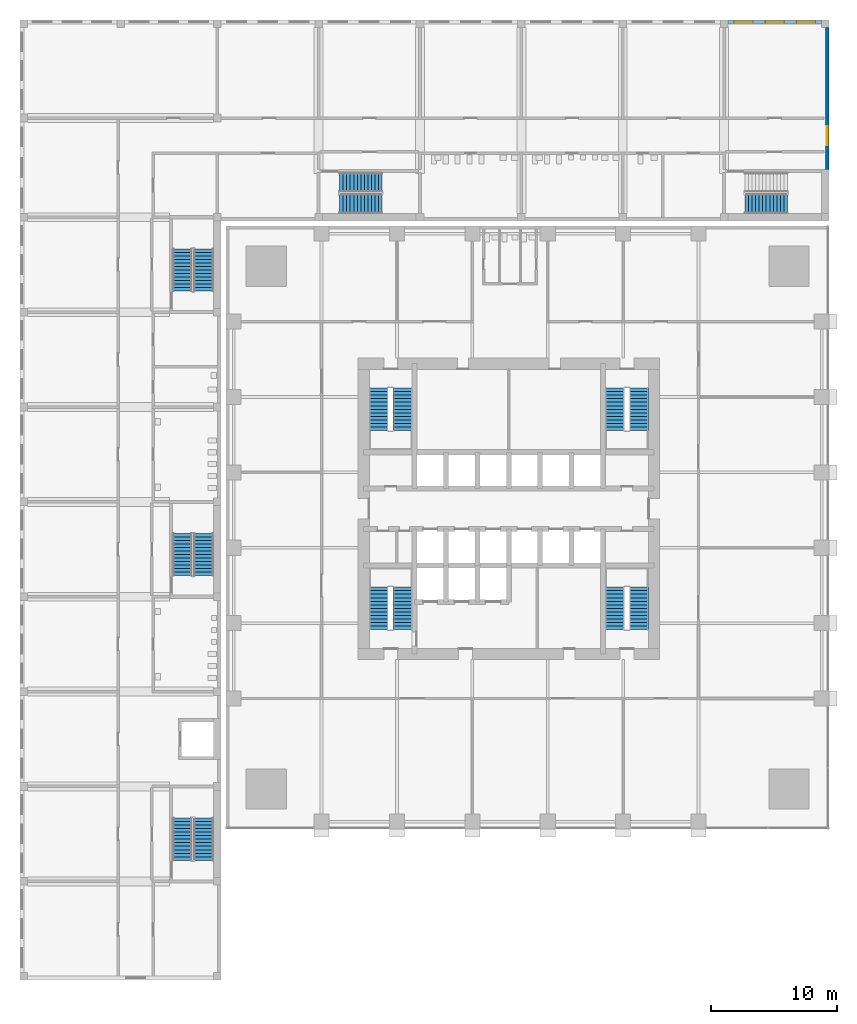
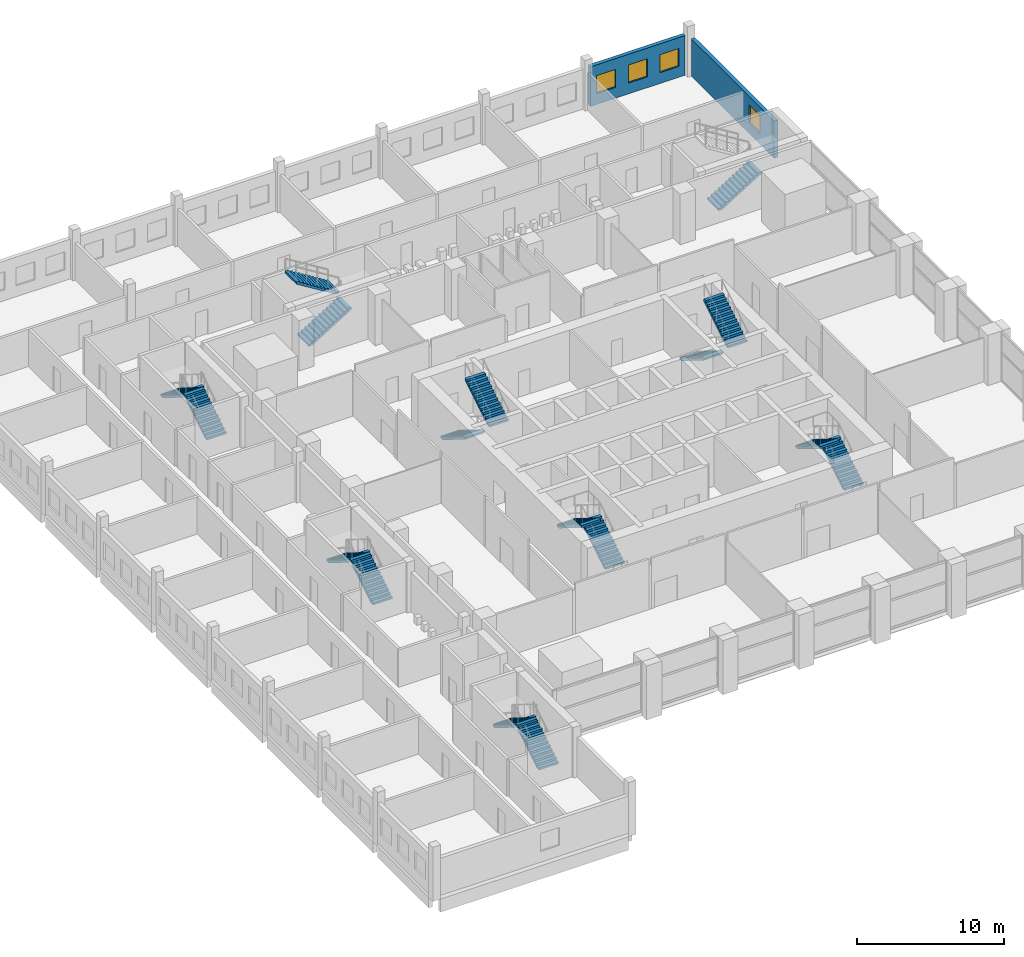
# One storey, part 18 of 25: 17 stair flights, 4 windows, 2 walls, 4 openings, 9 elements without a shape of their own.
"""IFC4 building model written with IfcOpenShell, lengths in metres."""

from ifc_helpers import new_model, si_unit, direction, frame, frame_2d, origin, place, context, subcontext, project, spatial, polyline, rectangle, outline, extrude, material, layer, layer_set, type_object, element, fill, aggregate, save


model = new_model("IFC4")

# Units and contexts
model_context = context("Model", 3, precision=1e-05, world=origin(), true_north=direction((0.0, 1.0)))
body_context = subcontext(model_context, "Body", "Model", "MODEL_VIEW")
ifc_project = project(units=[si_unit("LENGTHUNIT", "METRE"), si_unit("AREAUNIT", "SQUARE_METRE"), si_unit("VOLUMEUNIT", "CUBIC_METRE"), si_unit("PLANEANGLEUNIT", "RADIAN"), si_unit("MASSUNIT", "GRAM", prefix="KILO")], contexts=[model_context])

# Site, building, storey
site_placement = place(None, origin())
site = spatial("IfcSite", under=ifc_project, at=site_placement, CompositionType="ELEMENT")
building_placement = place(site_placement, origin())
building = spatial("IfcBuilding", under=site, at=building_placement, Name="Amberfall Residences", CompositionType="ELEMENT")
storey_placement = place(building_placement, frame((0.0, 0.0, 10.0)))
storey = spatial("IfcBuildingStorey", under=building, at=storey_placement, Name="L02", CompositionType="ELEMENT", Elevation=10.0)

# Wall, openings, windows
ifc_material_1 = material(Name="Aerated block wall")
ifc_layer = layer(ifc_material_1, 0.300048828125)
ifc_layer_set = layer_set([ifc_layer], Name="School external wall 300")
wall_type = type_object("IfcWallType", Name="School external wall 300", PredefinedType="SOLIDWALL", material=ifc_layer_set)
wall_1_placement = place(storey_placement, frame((91.93310546875, 84.25, 0.0), z_axis=(0.0, 0.0, 1.0), x_axis=(1.0, 0.0, 0.0)))
wall_1 = element("IfcWall", 1, at=wall_1_placement, inside=storey, type_object=wall_type, Name="School external wall L02 EN7", PredefinedType="SOLIDWALL", context=body_context, shape_type="SweptSolid", body=[
    extrude(rectangle(XDim=7.466796875, YDim=0.300048828125, at=frame_2d((3.7333984375, 0.0))), origin(), (0.0, 0.0, 1.0), 3.300048828125),
])
opening_1_placement = place(wall_1_placement, frame((0.494384765625, 0.0, 0.89990234375)))
opening_1 = element("IfcOpeningElement", 2, at=opening_1_placement, cuts=wall_1, Name="Opening SWN1", PredefinedType="OPENING", context=body_context, shape_type="SweptSolid", body=[
    extrude(rectangle(XDim=1.5, YDim=1.5, at=frame_2d((0.75, 0.75))), frame((0.0, 0.159912109375, 0.0), z_axis=(0.0, -1.0, 0.0), x_axis=(1.0, 0.0, 0.0)), (0.0, 0.0, 1.0), 0.320068359375),
])
opening_2_placement = place(wall_1_placement, frame((2.9833984375, 0.0, 0.89990234375)))
opening_2 = element("IfcOpeningElement", 3, at=opening_2_placement, cuts=wall_1, Name="Opening SWN1", PredefinedType="OPENING", context=body_context, shape_type="SweptSolid", body=[
    extrude(rectangle(XDim=1.5, YDim=1.5, at=frame_2d((0.75, 0.75))), frame((0.0, 0.159912109375, 0.0), z_axis=(0.0, -1.0, 0.0), x_axis=(1.0, 0.0, 0.0)), (0.0, 0.0, 1.0), 0.320068359375),
])
opening_3_placement = place(wall_1_placement, frame((5.472412109375, 0.0, 0.89990234375)))
opening_3 = element("IfcOpeningElement", 4, at=opening_3_placement, cuts=wall_1, Name="Opening SWN1", PredefinedType="OPENING", context=body_context, shape_type="SweptSolid", body=[
    extrude(rectangle(XDim=1.5, YDim=1.5, at=frame_2d((0.75, 0.75))), frame((0.0, 0.159912109375, 0.0), z_axis=(0.0, -1.0, 0.0), x_axis=(1.0, 0.0, 0.0)), (0.0, 0.0, 1.0), 0.320068359375),
])
ifc_material_2 = material(Name="Aluminium window", Category="aluminium")
window_type = type_object("IfcWindowType", Name="School window 1500 x 1500", PartitioningType="DOUBLE_PANEL_HORIZONTAL", PredefinedType="WINDOW", material=ifc_material_2)
window_1_placement = place(opening_1_placement, origin())
window_1 = element("IfcWindow", 5, at=window_1_placement, inside=storey, type_object=window_type, Name="School window L02 EN7-1", OverallHeight=1.5, OverallWidth=1.5, PartitioningType="DOUBLE_PANEL_HORIZONTAL", PredefinedType="WINDOW", context=body_context, shape_type="SweptSolid", body=[
    extrude(rectangle(XDim=1.5, YDim=1.5, at=frame_2d((0.75, 0.75))), frame((0.0, 0.030029296875, 0.0), z_axis=(0.0, -1.0, 0.0), x_axis=(1.0, 0.0, 0.0)), (0.0, 0.0, 1.0), 0.06005859375),
])
fill(opening_1, window_1)
window_2_placement = place(opening_2_placement, origin())
window_2 = element("IfcWindow", 6, at=window_2_placement, inside=storey, type_object=window_type, Name="School window L02 EN7-2", OverallHeight=1.5, OverallWidth=1.5, PartitioningType="DOUBLE_PANEL_HORIZONTAL", PredefinedType="WINDOW", context=body_context, shape_type="SweptSolid", body=[
    extrude(rectangle(XDim=1.5, YDim=1.5, at=frame_2d((0.75, 0.75))), frame((0.0, 0.030029296875, 0.0), z_axis=(0.0, -1.0, 0.0), x_axis=(1.0, 0.0, 0.0)), (0.0, 0.0, 1.0), 0.06005859375),
])
fill(opening_2, window_2)
window_3_placement = place(opening_3_placement, origin())
window_3 = element("IfcWindow", 7, at=window_3_placement, inside=storey, type_object=window_type, Name="School window L02 EN7-3", OverallHeight=1.5, OverallWidth=1.5, PartitioningType="DOUBLE_PANEL_HORIZONTAL", PredefinedType="WINDOW", context=body_context, shape_type="SweptSolid", body=[
    extrude(rectangle(XDim=1.5, YDim=1.5, at=frame_2d((0.75, 0.75))), frame((0.0, 0.030029296875, 0.0), z_axis=(0.0, -1.0, 0.0), x_axis=(1.0, 0.0, 0.0)), (0.0, 0.0, 1.0), 0.06005859375),
])
fill(opening_3, window_3)

# Wall, opening, window
wall_2_placement = place(storey_placement, frame((99.85009765625, 72.5, 0.0), z_axis=(0.0, 0.0, 1.0), x_axis=(0.0, 1.0, 0.0)))
wall_2 = element("IfcWall", 8, at=wall_2_placement, inside=storey, type_object=wall_type, Name="School external wall L02 EE", PredefinedType="SOLIDWALL", context=body_context, shape_type="SweptSolid", body=[
    extrude(rectangle(XDim=11.300048828125, YDim=0.300048828125, at=frame_2d((5.64990234375, 0.0))), origin(), (0.0, 0.0, 1.0), 3.10009765625),
])
opening_4_placement = place(wall_2_placement, frame((1.949951171875, 0.0, 0.89990234375)))
opening_4 = element("IfcOpeningElement", 9, at=opening_4_placement, cuts=wall_2, Name="Opening SWN1", PredefinedType="OPENING", context=body_context, shape_type="SweptSolid", body=[
    extrude(rectangle(XDim=1.5, YDim=1.5, at=frame_2d((0.75, 0.75))), frame((0.0, 0.159912109375, 0.0), z_axis=(0.0, -1.0, 0.0), x_axis=(1.0, 0.0, 0.0)), (0.0, 0.0, 1.0), 0.320068359375),
])
window_4_placement = place(opening_4_placement, origin())
window_4 = element("IfcWindow", 10, at=window_4_placement, inside=storey, type_object=window_type, Name="School window L02 EE-1", OverallHeight=1.5, OverallWidth=1.5, PartitioningType="DOUBLE_PANEL_HORIZONTAL", PredefinedType="WINDOW", context=body_context, shape_type="SweptSolid", body=[
    extrude(rectangle(XDim=1.5, YDim=1.5, at=frame_2d((0.75, 0.75))), frame((0.0, 0.030029296875, 0.0), z_axis=(0.0, -1.0, 0.0), x_axis=(1.0, 0.0, 0.0)), (0.0, 0.0, 1.0), 0.06005859375),
])
fill(opening_4, window_4)

# Stair, stair flights
ifc_material_3 = material(Name="Concrete C40", Category="concrete")
stair_type_1 = type_object("IfcStairType", Name="School stair", PredefinedType="HALF_TURN_STAIR", material=ifc_material_3)
stair_1_placement = place(storey_placement, origin())
stair_1 = element("IfcStair", 11, at=stair_1_placement, inside=storey, type_object=stair_type_1, Name="L02 Stair SS1", PredefinedType="HALF_TURN_STAIR")
stair_flight_type_1 = type_object("IfcStairFlightType", Name="School stair flight", PredefinedType="STRAIGHT", material=ifc_material_3)
stair_flight_1_placement = place(storey_placement, frame((50.22509765625, 17.52490234375, 0.0), z_axis=(0.0, 0.0, 1.0), x_axis=(0.0, 1.0, 0.0)))
stair_flight_1 = element("IfcStairFlight", 12, at=stair_flight_1_placement, type_object=stair_flight_type_1, Name="SS1 flight 1", NumberOfRisers=13, NumberOfTreads=12, PredefinedType="STRAIGHT", RiserHeight=0.173076923, TreadLength=0.28, context=body_context, shape_type="SweptSolid", body=[
    extrude(outline(polyline([(0.0, 0.0), (0.0, 0.173095703125), (0.280029296875, 0.173095703125), (0.280029296875, 0.34619140625), (0.56005859375, 0.34619140625), (0.56005859375, 0.519287109375), (0.840087890625, 0.519287109375), (0.840087890625, 0.6923828125), (1.1201171875, 0.6923828125), (1.1201171875, 0.865478515625), (1.39990234375, 0.865478515625), (1.39990234375, 1.03857421875), (1.679931640625, 1.03857421875), (1.679931640625, 1.21142578125), (1.9599609375, 1.21142578125), (1.9599609375, 1.384521484375), (2.239990234375, 1.384521484375), (2.239990234375, 1.5576171875), (2.52001953125, 1.5576171875), (2.52001953125, 1.730712890625), (2.800048828125, 1.730712890625), (2.800048828125, 1.90380859375), (3.080078125, 1.90380859375), (3.080078125, 2.076904296875), (3.360107421875, 2.076904296875), (3.360107421875, 2.25), (3.360107421875, 1.900634765625), (0.28515625, 0.0), (0.0, 0.0)])), frame((0.0, 0.77490234375, 0.0), z_axis=(0.0, -1.0, 0.0), x_axis=(1.0, 0.0, 0.0)), (0.0, 0.0, 1.0), 1.550048828125),
])
stair_flight_2_placement = place(storey_placement, frame((48.52490234375, 20.885009765625, 2.25), z_axis=(0.0, 0.0, 1.0), x_axis=(0.0, -1.0, 0.0)))
stair_flight_2 = element("IfcStairFlight", 13, at=stair_flight_2_placement, type_object=stair_flight_type_1, Name="SS1 flight 2", NumberOfRisers=13, NumberOfTreads=12, PredefinedType="STRAIGHT", RiserHeight=0.173076923, TreadLength=0.28, context=body_context, shape_type="SweptSolid", body=[
    extrude(outline(polyline([(0.0, 0.0), (0.0, 0.173095703125), (0.280029296875, 0.173095703125), (0.280029296875, 0.34619140625), (0.56005859375, 0.34619140625), (0.56005859375, 0.519287109375), (0.840087890625, 0.519287109375), (0.840087890625, 0.6923828125), (1.1201171875, 0.6923828125), (1.1201171875, 0.865478515625), (1.39990234375, 0.865478515625), (1.39990234375, 1.03857421875), (1.679931640625, 1.03857421875), (1.679931640625, 1.21142578125), (1.9599609375, 1.21142578125), (1.9599609375, 1.384521484375), (2.239990234375, 1.384521484375), (2.239990234375, 1.5576171875), (2.52001953125, 1.5576171875), (2.52001953125, 1.730712890625), (2.800048828125, 1.730712890625), (2.800048828125, 1.90380859375), (3.080078125, 1.90380859375), (3.080078125, 2.076904296875), (3.360107421875, 2.076904296875), (3.360107421875, 2.25), (3.360107421875, 1.900634765625), (0.28515625, 0.0), (0.0, 0.0)])), frame((0.0, 0.77490234375, 0.0), z_axis=(0.0, -1.0, 0.0), x_axis=(1.0, 0.0, 0.0)), (0.0, 0.0, 1.0), 1.550048828125),
])
aggregate(stair_1, [stair_flight_1, stair_flight_2])

stair_2_placement = place(storey_placement, origin())
stair_2 = element("IfcStair", 14, at=stair_2_placement, inside=storey, type_object=stair_type_1, Name="L02 Stair SS2", PredefinedType="HALF_TURN_STAIR")
stair_flight_3_placement = place(storey_placement, frame((50.22509765625, 40.175048828125, 0.0), z_axis=(0.0, 0.0, 1.0), x_axis=(0.0, 1.0, 0.0)))
stair_flight_3 = element("IfcStairFlight", 15, at=stair_flight_3_placement, type_object=stair_flight_type_1, Name="SS2 flight 1", NumberOfRisers=13, NumberOfTreads=12, PredefinedType="STRAIGHT", RiserHeight=0.173076923, TreadLength=0.28, context=body_context, shape_type="SweptSolid", body=[
    extrude(outline(polyline([(0.0, 0.0), (0.0, 0.173095703125), (0.280029296875, 0.173095703125), (0.280029296875, 0.34619140625), (0.56005859375, 0.34619140625), (0.56005859375, 0.519287109375), (0.840087890625, 0.519287109375), (0.840087890625, 0.6923828125), (1.1201171875, 0.6923828125), (1.1201171875, 0.865478515625), (1.39990234375, 0.865478515625), (1.39990234375, 1.03857421875), (1.679931640625, 1.03857421875), (1.679931640625, 1.21142578125), (1.9599609375, 1.21142578125), (1.9599609375, 1.384521484375), (2.239990234375, 1.384521484375), (2.239990234375, 1.5576171875), (2.52001953125, 1.5576171875), (2.52001953125, 1.730712890625), (2.800048828125, 1.730712890625), (2.800048828125, 1.90380859375), (3.080078125, 1.90380859375), (3.080078125, 2.076904296875), (3.360107421875, 2.076904296875), (3.360107421875, 2.25), (3.360107421875, 1.900634765625), (0.28515625, 0.0), (0.0, 0.0)])), frame((0.0, 0.77490234375, 0.0), z_axis=(0.0, -1.0, 0.0), x_axis=(1.0, 0.0, 0.0)), (0.0, 0.0, 1.0), 1.550048828125),
])
stair_flight_4_placement = place(storey_placement, frame((48.52490234375, 43.534912109375, 2.25), z_axis=(0.0, 0.0, 1.0), x_axis=(0.0, -1.0, 0.0)))
stair_flight_4 = element("IfcStairFlight", 16, at=stair_flight_4_placement, type_object=stair_flight_type_1, Name="SS2 flight 2", NumberOfRisers=13, NumberOfTreads=12, PredefinedType="STRAIGHT", RiserHeight=0.173076923, TreadLength=0.28, context=body_context, shape_type="SweptSolid", body=[
    extrude(outline(polyline([(0.0, 0.0), (0.0, 0.173095703125), (0.280029296875, 0.173095703125), (0.280029296875, 0.34619140625), (0.56005859375, 0.34619140625), (0.56005859375, 0.519287109375), (0.840087890625, 0.519287109375), (0.840087890625, 0.6923828125), (1.1201171875, 0.6923828125), (1.1201171875, 0.865478515625), (1.39990234375, 0.865478515625), (1.39990234375, 1.03857421875), (1.679931640625, 1.03857421875), (1.679931640625, 1.21142578125), (1.9599609375, 1.21142578125), (1.9599609375, 1.384521484375), (2.239990234375, 1.384521484375), (2.239990234375, 1.5576171875), (2.52001953125, 1.5576171875), (2.52001953125, 1.730712890625), (2.800048828125, 1.730712890625), (2.800048828125, 1.90380859375), (3.080078125, 1.90380859375), (3.080078125, 2.076904296875), (3.360107421875, 2.076904296875), (3.360107421875, 2.25), (3.360107421875, 1.900634765625), (0.28515625, 0.0), (0.0, 0.0)])), frame((0.0, 0.77490234375, 0.0), z_axis=(0.0, -1.0, 0.0), x_axis=(1.0, 0.0, 0.0)), (0.0, 0.0, 1.0), 1.550048828125),
])
aggregate(stair_2, [stair_flight_3, stair_flight_4])

stair_3_placement = place(storey_placement, origin())
stair_3 = element("IfcStair", 17, at=stair_3_placement, inside=storey, type_object=stair_type_1, Name="L02 Stair SS3", PredefinedType="HALF_TURN_STAIR")
stair_flight_5_placement = place(storey_placement, frame((50.22509765625, 62.824951171875, 0.0), z_axis=(0.0, 0.0, 1.0), x_axis=(0.0, 1.0, 0.0)))
stair_flight_5 = element("IfcStairFlight", 18, at=stair_flight_5_placement, type_object=stair_flight_type_1, Name="SS3 flight 1", NumberOfRisers=13, NumberOfTreads=12, PredefinedType="STRAIGHT", RiserHeight=0.173076923, TreadLength=0.28, context=body_context, shape_type="SweptSolid", body=[
    extrude(outline(polyline([(0.0, 0.0), (0.0, 0.173095703125), (0.280029296875, 0.173095703125), (0.280029296875, 0.34619140625), (0.56005859375, 0.34619140625), (0.56005859375, 0.519287109375), (0.840087890625, 0.519287109375), (0.840087890625, 0.6923828125), (1.1201171875, 0.6923828125), (1.1201171875, 0.865478515625), (1.39990234375, 0.865478515625), (1.39990234375, 1.03857421875), (1.679931640625, 1.03857421875), (1.679931640625, 1.21142578125), (1.9599609375, 1.21142578125), (1.9599609375, 1.384521484375), (2.239990234375, 1.384521484375), (2.239990234375, 1.5576171875), (2.52001953125, 1.5576171875), (2.52001953125, 1.730712890625), (2.800048828125, 1.730712890625), (2.800048828125, 1.90380859375), (3.080078125, 1.90380859375), (3.080078125, 2.076904296875), (3.360107421875, 2.076904296875), (3.360107421875, 2.25), (3.360107421875, 1.900634765625), (0.28515625, 0.0), (0.0, 0.0)])), frame((0.0, 0.77490234375, 0.0), z_axis=(0.0, -1.0, 0.0), x_axis=(1.0, 0.0, 0.0)), (0.0, 0.0, 1.0), 1.550048828125),
])
stair_flight_6_placement = place(storey_placement, frame((48.52490234375, 66.18505859375, 2.25), z_axis=(0.0, 0.0, 1.0), x_axis=(0.0, -1.0, 0.0)))
stair_flight_6 = element("IfcStairFlight", 19, at=stair_flight_6_placement, type_object=stair_flight_type_1, Name="SS3 flight 2", NumberOfRisers=13, NumberOfTreads=12, PredefinedType="STRAIGHT", RiserHeight=0.173076923, TreadLength=0.28, context=body_context, shape_type="SweptSolid", body=[
    extrude(outline(polyline([(0.0, 0.0), (0.0, 0.173095703125), (0.280029296875, 0.173095703125), (0.280029296875, 0.34619140625), (0.56005859375, 0.34619140625), (0.56005859375, 0.519287109375), (0.840087890625, 0.519287109375), (0.840087890625, 0.6923828125), (1.1201171875, 0.6923828125), (1.1201171875, 0.865478515625), (1.39990234375, 0.865478515625), (1.39990234375, 1.03857421875), (1.679931640625, 1.03857421875), (1.679931640625, 1.21142578125), (1.9599609375, 1.21142578125), (1.9599609375, 1.384521484375), (2.239990234375, 1.384521484375), (2.239990234375, 1.5576171875), (2.52001953125, 1.5576171875), (2.52001953125, 1.730712890625), (2.800048828125, 1.730712890625), (2.800048828125, 1.90380859375), (3.080078125, 1.90380859375), (3.080078125, 2.076904296875), (3.360107421875, 2.076904296875), (3.360107421875, 2.25), (3.360107421875, 1.900634765625), (0.28515625, 0.0), (0.0, 0.0)])), frame((0.0, 0.77490234375, 0.0), z_axis=(0.0, -1.0, 0.0), x_axis=(1.0, 0.0, 0.0)), (0.0, 0.0, 1.0), 1.550048828125),
])
aggregate(stair_3, [stair_flight_5, stair_flight_6])

stair_4_placement = place(storey_placement, origin())
stair_4 = element("IfcStair", 20, at=stair_4_placement, inside=storey, type_object=stair_type_1, Name="L02 Stair SS4", PredefinedType="HALF_TURN_STAIR")
stair_flight_7_placement = place(storey_placement, frame((61.0419921875, 69.77490234375, 0.0), z_axis=(0.0, 0.0, 1.0), x_axis=(1.0, 0.0, 0.0)))
stair_flight_7 = element("IfcStairFlight", 21, at=stair_flight_7_placement, type_object=stair_flight_type_1, Name="SS4 flight 1", NumberOfRisers=13, NumberOfTreads=12, PredefinedType="STRAIGHT", RiserHeight=0.173076923, TreadLength=0.28, context=body_context, shape_type="SweptSolid", body=[
    extrude(outline(polyline([(0.0, 0.0), (0.0, 0.173095703125), (0.280029296875, 0.173095703125), (0.280029296875, 0.34619140625), (0.56005859375, 0.34619140625), (0.56005859375, 0.519287109375), (0.840087890625, 0.519287109375), (0.840087890625, 0.6923828125), (1.1201171875, 0.6923828125), (1.1201171875, 0.865478515625), (1.39990234375, 0.865478515625), (1.39990234375, 1.03857421875), (1.679931640625, 1.03857421875), (1.679931640625, 1.21142578125), (1.9599609375, 1.21142578125), (1.9599609375, 1.384521484375), (2.239990234375, 1.384521484375), (2.239990234375, 1.5576171875), (2.52001953125, 1.5576171875), (2.52001953125, 1.730712890625), (2.800048828125, 1.730712890625), (2.800048828125, 1.90380859375), (3.080078125, 1.90380859375), (3.080078125, 2.076904296875), (3.360107421875, 2.076904296875), (3.360107421875, 2.25), (3.360107421875, 1.900634765625), (0.28515625, 0.0), (0.0, 0.0)])), frame((0.0, 0.77490234375, 0.0), z_axis=(0.0, -1.0, 0.0), x_axis=(1.0, 0.0, 0.0)), (0.0, 0.0, 1.0), 1.550048828125),
])
stair_flight_8_placement = place(storey_placement, frame((64.402099609375, 71.47509765625, 2.25), z_axis=(0.0, 0.0, 1.0), x_axis=(-1.0, 0.0, 0.0)))
stair_flight_8 = element("IfcStairFlight", 22, at=stair_flight_8_placement, type_object=stair_flight_type_1, Name="SS4 flight 2", NumberOfRisers=13, NumberOfTreads=12, PredefinedType="STRAIGHT", RiserHeight=0.173076923, TreadLength=0.28, context=body_context, shape_type="SweptSolid", body=[
    extrude(outline(polyline([(0.0, 0.0), (0.0, 0.173095703125), (0.280029296875, 0.173095703125), (0.280029296875, 0.34619140625), (0.56005859375, 0.34619140625), (0.56005859375, 0.519287109375), (0.840087890625, 0.519287109375), (0.840087890625, 0.6923828125), (1.1201171875, 0.6923828125), (1.1201171875, 0.865478515625), (1.39990234375, 0.865478515625), (1.39990234375, 1.03857421875), (1.679931640625, 1.03857421875), (1.679931640625, 1.21142578125), (1.9599609375, 1.21142578125), (1.9599609375, 1.384521484375), (2.239990234375, 1.384521484375), (2.239990234375, 1.5576171875), (2.52001953125, 1.5576171875), (2.52001953125, 1.730712890625), (2.800048828125, 1.730712890625), (2.800048828125, 1.90380859375), (3.080078125, 1.90380859375), (3.080078125, 2.076904296875), (3.360107421875, 2.076904296875), (3.360107421875, 2.25), (3.360107421875, 1.900634765625), (0.28515625, 0.0), (0.0, 0.0)])), frame((0.0, 0.77490234375, 0.0), z_axis=(0.0, -1.0, 0.0), x_axis=(1.0, 0.0, 0.0)), (0.0, 0.0, 1.0), 1.550048828125),
])
aggregate(stair_4, [stair_flight_7, stair_flight_8])

# Stair, stair flight
stair_5_placement = place(storey_placement, origin())
stair_5 = element("IfcStair", 23, at=stair_5_placement, inside=storey, type_object=stair_type_1, Name="L02 Stair SS5", PredefinedType="HALF_TURN_STAIR")
stair_flight_9_placement = place(storey_placement, frame((93.30810546875, 69.77490234375, 0.0), z_axis=(0.0, 0.0, 1.0), x_axis=(1.0, 0.0, 0.0)))
stair_flight_9 = element("IfcStairFlight", 24, at=stair_flight_9_placement, type_object=stair_flight_type_1, Name="SS5 flight 1", NumberOfRisers=13, NumberOfTreads=12, PredefinedType="STRAIGHT", RiserHeight=0.173076923, TreadLength=0.28, context=body_context, shape_type="SweptSolid", body=[
    extrude(outline(polyline([(0.0, 0.0), (0.0, 0.173095703125), (0.280029296875, 0.173095703125), (0.280029296875, 0.34619140625), (0.56005859375, 0.34619140625), (0.56005859375, 0.519287109375), (0.840087890625, 0.519287109375), (0.840087890625, 0.6923828125), (1.1201171875, 0.6923828125), (1.1201171875, 0.865478515625), (1.39990234375, 0.865478515625), (1.39990234375, 1.03857421875), (1.679931640625, 1.03857421875), (1.679931640625, 1.21142578125), (1.9599609375, 1.21142578125), (1.9599609375, 1.384521484375), (2.239990234375, 1.384521484375), (2.239990234375, 1.5576171875), (2.52001953125, 1.5576171875), (2.52001953125, 1.730712890625), (2.800048828125, 1.730712890625), (2.800048828125, 1.90380859375), (3.080078125, 1.90380859375), (3.080078125, 2.076904296875), (3.360107421875, 2.076904296875), (3.360107421875, 2.25), (3.360107421875, 1.900634765625), (0.28515625, 0.0), (0.0, 0.0)])), frame((0.0, 0.77490234375, 0.0), z_axis=(0.0, -1.0, 0.0), x_axis=(1.0, 0.0, 0.0)), (0.0, 0.0, 1.0), 1.550048828125),
])
aggregate(stair_5, [stair_flight_9])

# Stair, stair flights
stair_type_2 = type_object("IfcStairType", Name="Exit stair 26 risers 173.1 mm", PredefinedType="HALF_TURN_STAIR", material=ifc_material_3)
stair_6_placement = place(storey_placement, origin())
stair_6 = element("IfcStair", 25, at=stair_6_placement, inside=storey, type_object=stair_type_2, Name="L02 Exit stair 1", PredefinedType="HALF_TURN_STAIR")
stair_flight_type_2 = type_object("IfcStairFlightType", Name="Stair flight 13 risers 173.1 mm", PredefinedType="STRAIGHT", material=ifc_material_3)
stair_flight_10_placement = place(storey_placement, frame((66.050048828125, 35.89990234375, 0.0), z_axis=(0.0, 0.0, 1.0), x_axis=(0.0, 1.0, 0.0)))
stair_flight_10 = element("IfcStairFlight", 26, at=stair_flight_10_placement, type_object=stair_flight_type_2, Name="ST2 flight 1", NumberOfRisers=13, NumberOfTreads=12, PredefinedType="STRAIGHT", RiserHeight=0.173076923, TreadLength=0.28, context=body_context, shape_type="SweptSolid", body=[
    extrude(outline(polyline([(0.0, 0.0), (0.0, 0.173095703125), (0.280029296875, 0.173095703125), (0.280029296875, 0.34619140625), (0.56005859375, 0.34619140625), (0.56005859375, 0.519287109375), (0.840087890625, 0.519287109375), (0.840087890625, 0.6923828125), (1.1201171875, 0.6923828125), (1.1201171875, 0.865478515625), (1.39990234375, 0.865478515625), (1.39990234375, 1.03857421875), (1.679931640625, 1.03857421875), (1.679931640625, 1.21142578125), (1.9599609375, 1.21142578125), (1.9599609375, 1.384521484375), (2.239990234375, 1.384521484375), (2.239990234375, 1.5576171875), (2.52001953125, 1.5576171875), (2.52001953125, 1.730712890625), (2.800048828125, 1.730712890625), (2.800048828125, 1.90380859375), (3.080078125, 1.90380859375), (3.080078125, 2.076904296875), (3.360107421875, 2.076904296875), (3.360107421875, 2.25), (3.360107421875, 1.900634765625), (0.28515625, 0.0), (0.0, 0.0)])), frame((0.0, 0.75, 0.0), z_axis=(0.0, -1.0, 0.0), x_axis=(1.0, 0.0, 0.0)), (0.0, 0.0, 1.0), 1.5),
])
stair_flight_11_placement = place(storey_placement, frame((64.14990234375, 39.260009765625, 2.25), z_axis=(0.0, 0.0, 1.0), x_axis=(0.0, -1.0, 0.0)))
stair_flight_11 = element("IfcStairFlight", 27, at=stair_flight_11_placement, type_object=stair_flight_type_2, Name="ST2 flight 2", NumberOfRisers=13, NumberOfTreads=12, PredefinedType="STRAIGHT", RiserHeight=0.173076923, TreadLength=0.28, context=body_context, shape_type="SweptSolid", body=[
    extrude(outline(polyline([(0.0, 0.0), (0.0, 0.173095703125), (0.280029296875, 0.173095703125), (0.280029296875, 0.34619140625), (0.56005859375, 0.34619140625), (0.56005859375, 0.519287109375), (0.840087890625, 0.519287109375), (0.840087890625, 0.6923828125), (1.1201171875, 0.6923828125), (1.1201171875, 0.865478515625), (1.39990234375, 0.865478515625), (1.39990234375, 1.03857421875), (1.679931640625, 1.03857421875), (1.679931640625, 1.21142578125), (1.9599609375, 1.21142578125), (1.9599609375, 1.384521484375), (2.239990234375, 1.384521484375), (2.239990234375, 1.5576171875), (2.52001953125, 1.5576171875), (2.52001953125, 1.730712890625), (2.800048828125, 1.730712890625), (2.800048828125, 1.90380859375), (3.080078125, 1.90380859375), (3.080078125, 2.076904296875), (3.360107421875, 2.076904296875), (3.360107421875, 2.25), (3.360107421875, 1.900634765625), (0.28515625, 0.0), (0.0, 0.0)])), frame((0.0, 0.75, 0.0), z_axis=(0.0, -1.0, 0.0), x_axis=(1.0, 0.0, 0.0)), (0.0, 0.0, 1.0), 1.5),
])
aggregate(stair_6, [stair_flight_10, stair_flight_11])

stair_7_placement = place(storey_placement, origin())
stair_7 = element("IfcStair", 28, at=stair_7_placement, inside=storey, type_object=stair_type_2, Name="L02 Exit stair 2", PredefinedType="HALF_TURN_STAIR")
stair_flight_12_placement = place(storey_placement, frame((84.85009765625, 35.89990234375, 0.0), z_axis=(0.0, 0.0, 1.0), x_axis=(0.0, 1.0, 0.0)))
stair_flight_12 = element("IfcStairFlight", 29, at=stair_flight_12_placement, type_object=stair_flight_type_2, Name="ST2 flight 1", NumberOfRisers=13, NumberOfTreads=12, PredefinedType="STRAIGHT", RiserHeight=0.173076923, TreadLength=0.28, context=body_context, shape_type="SweptSolid", body=[
    extrude(outline(polyline([(0.0, 0.0), (0.0, 0.173095703125), (0.280029296875, 0.173095703125), (0.280029296875, 0.34619140625), (0.56005859375, 0.34619140625), (0.56005859375, 0.519287109375), (0.840087890625, 0.519287109375), (0.840087890625, 0.6923828125), (1.1201171875, 0.6923828125), (1.1201171875, 0.865478515625), (1.39990234375, 0.865478515625), (1.39990234375, 1.03857421875), (1.679931640625, 1.03857421875), (1.679931640625, 1.21142578125), (1.9599609375, 1.21142578125), (1.9599609375, 1.384521484375), (2.239990234375, 1.384521484375), (2.239990234375, 1.5576171875), (2.52001953125, 1.5576171875), (2.52001953125, 1.730712890625), (2.800048828125, 1.730712890625), (2.800048828125, 1.90380859375), (3.080078125, 1.90380859375), (3.080078125, 2.076904296875), (3.360107421875, 2.076904296875), (3.360107421875, 2.25), (3.360107421875, 1.900634765625), (0.28515625, 0.0), (0.0, 0.0)])), frame((0.0, 0.75, 0.0), z_axis=(0.0, -1.0, 0.0), x_axis=(1.0, 0.0, 0.0)), (0.0, 0.0, 1.0), 1.5),
])
stair_flight_13_placement = place(storey_placement, frame((82.949951171875, 39.260009765625, 2.25), z_axis=(0.0, 0.0, 1.0), x_axis=(0.0, -1.0, 0.0)))
stair_flight_13 = element("IfcStairFlight", 30, at=stair_flight_13_placement, type_object=stair_flight_type_2, Name="ST2 flight 2", NumberOfRisers=13, NumberOfTreads=12, PredefinedType="STRAIGHT", RiserHeight=0.173076923, TreadLength=0.28, context=body_context, shape_type="SweptSolid", body=[
    extrude(outline(polyline([(0.0, 0.0), (0.0, 0.173095703125), (0.280029296875, 0.173095703125), (0.280029296875, 0.34619140625), (0.56005859375, 0.34619140625), (0.56005859375, 0.519287109375), (0.840087890625, 0.519287109375), (0.840087890625, 0.6923828125), (1.1201171875, 0.6923828125), (1.1201171875, 0.865478515625), (1.39990234375, 0.865478515625), (1.39990234375, 1.03857421875), (1.679931640625, 1.03857421875), (1.679931640625, 1.21142578125), (1.9599609375, 1.21142578125), (1.9599609375, 1.384521484375), (2.239990234375, 1.384521484375), (2.239990234375, 1.5576171875), (2.52001953125, 1.5576171875), (2.52001953125, 1.730712890625), (2.800048828125, 1.730712890625), (2.800048828125, 1.90380859375), (3.080078125, 1.90380859375), (3.080078125, 2.076904296875), (3.360107421875, 2.076904296875), (3.360107421875, 2.25), (3.360107421875, 1.900634765625), (0.28515625, 0.0), (0.0, 0.0)])), frame((0.0, 0.75, 0.0), z_axis=(0.0, -1.0, 0.0), x_axis=(1.0, 0.0, 0.0)), (0.0, 0.0, 1.0), 1.5),
])
aggregate(stair_7, [stair_flight_12, stair_flight_13])

stair_8_placement = place(storey_placement, origin())
stair_8 = element("IfcStair", 31, at=stair_8_placement, inside=storey, type_object=stair_type_2, Name="L02 Exit stair 3", PredefinedType="HALF_TURN_STAIR")
stair_flight_14_placement = place(storey_placement, frame((82.949951171875, 55.10009765625, 0.0), z_axis=(0.0, 0.0, 1.0), x_axis=(0.0, -1.0, 0.0)))
stair_flight_14 = element("IfcStairFlight", 32, at=stair_flight_14_placement, type_object=stair_flight_type_2, Name="ST2 flight 1", NumberOfRisers=13, NumberOfTreads=12, PredefinedType="STRAIGHT", RiserHeight=0.173076923, TreadLength=0.28, context=body_context, shape_type="SweptSolid", body=[
    extrude(outline(polyline([(0.0, 0.0), (0.0, 0.173095703125), (0.280029296875, 0.173095703125), (0.280029296875, 0.34619140625), (0.56005859375, 0.34619140625), (0.56005859375, 0.519287109375), (0.840087890625, 0.519287109375), (0.840087890625, 0.6923828125), (1.1201171875, 0.6923828125), (1.1201171875, 0.865478515625), (1.39990234375, 0.865478515625), (1.39990234375, 1.03857421875), (1.679931640625, 1.03857421875), (1.679931640625, 1.21142578125), (1.9599609375, 1.21142578125), (1.9599609375, 1.384521484375), (2.239990234375, 1.384521484375), (2.239990234375, 1.5576171875), (2.52001953125, 1.5576171875), (2.52001953125, 1.730712890625), (2.800048828125, 1.730712890625), (2.800048828125, 1.90380859375), (3.080078125, 1.90380859375), (3.080078125, 2.076904296875), (3.360107421875, 2.076904296875), (3.360107421875, 2.25), (3.360107421875, 1.900634765625), (0.28515625, 0.0), (0.0, 0.0)])), frame((0.0, 0.75, 0.0), z_axis=(0.0, -1.0, 0.0), x_axis=(1.0, 0.0, 0.0)), (0.0, 0.0, 1.0), 1.5),
])
stair_flight_15_placement = place(storey_placement, frame((84.85009765625, 51.739990234375, 2.25), z_axis=(0.0, 0.0, 1.0), x_axis=(0.0, 1.0, 0.0)))
stair_flight_15 = element("IfcStairFlight", 33, at=stair_flight_15_placement, type_object=stair_flight_type_2, Name="ST2 flight 2", NumberOfRisers=13, NumberOfTreads=12, PredefinedType="STRAIGHT", RiserHeight=0.173076923, TreadLength=0.28, context=body_context, shape_type="SweptSolid", body=[
    extrude(outline(polyline([(0.0, 0.0), (0.0, 0.173095703125), (0.280029296875, 0.173095703125), (0.280029296875, 0.34619140625), (0.56005859375, 0.34619140625), (0.56005859375, 0.519287109375), (0.840087890625, 0.519287109375), (0.840087890625, 0.6923828125), (1.1201171875, 0.6923828125), (1.1201171875, 0.865478515625), (1.39990234375, 0.865478515625), (1.39990234375, 1.03857421875), (1.679931640625, 1.03857421875), (1.679931640625, 1.21142578125), (1.9599609375, 1.21142578125), (1.9599609375, 1.384521484375), (2.239990234375, 1.384521484375), (2.239990234375, 1.5576171875), (2.52001953125, 1.5576171875), (2.52001953125, 1.730712890625), (2.800048828125, 1.730712890625), (2.800048828125, 1.90380859375), (3.080078125, 1.90380859375), (3.080078125, 2.076904296875), (3.360107421875, 2.076904296875), (3.360107421875, 2.25), (3.360107421875, 1.900634765625), (0.28515625, 0.0), (0.0, 0.0)])), frame((0.0, 0.75, 0.0), z_axis=(0.0, -1.0, 0.0), x_axis=(1.0, 0.0, 0.0)), (0.0, 0.0, 1.0), 1.5),
])
aggregate(stair_8, [stair_flight_14, stair_flight_15])

stair_9_placement = place(storey_placement, origin())
stair_9 = element("IfcStair", 34, at=stair_9_placement, inside=storey, type_object=stair_type_2, Name="L02 Exit stair 4", PredefinedType="HALF_TURN_STAIR")
stair_flight_16_placement = place(storey_placement, frame((64.14990234375, 55.10009765625, 0.0), z_axis=(0.0, 0.0, 1.0), x_axis=(0.0, -1.0, 0.0)))
stair_flight_16 = element("IfcStairFlight", 35, at=stair_flight_16_placement, type_object=stair_flight_type_2, Name="ST2 flight 1", NumberOfRisers=13, NumberOfTreads=12, PredefinedType="STRAIGHT", RiserHeight=0.173076923, TreadLength=0.28, context=body_context, shape_type="SweptSolid", body=[
    extrude(outline(polyline([(0.0, 0.0), (0.0, 0.173095703125), (0.280029296875, 0.173095703125), (0.280029296875, 0.34619140625), (0.56005859375, 0.34619140625), (0.56005859375, 0.519287109375), (0.840087890625, 0.519287109375), (0.840087890625, 0.6923828125), (1.1201171875, 0.6923828125), (1.1201171875, 0.865478515625), (1.39990234375, 0.865478515625), (1.39990234375, 1.03857421875), (1.679931640625, 1.03857421875), (1.679931640625, 1.21142578125), (1.9599609375, 1.21142578125), (1.9599609375, 1.384521484375), (2.239990234375, 1.384521484375), (2.239990234375, 1.5576171875), (2.52001953125, 1.5576171875), (2.52001953125, 1.730712890625), (2.800048828125, 1.730712890625), (2.800048828125, 1.90380859375), (3.080078125, 1.90380859375), (3.080078125, 2.076904296875), (3.360107421875, 2.076904296875), (3.360107421875, 2.25), (3.360107421875, 1.900634765625), (0.28515625, 0.0), (0.0, 0.0)])), frame((0.0, 0.75, 0.0), z_axis=(0.0, -1.0, 0.0), x_axis=(1.0, 0.0, 0.0)), (0.0, 0.0, 1.0), 1.5),
])
stair_flight_17_placement = place(storey_placement, frame((66.050048828125, 51.739990234375, 2.25), z_axis=(0.0, 0.0, 1.0), x_axis=(0.0, 1.0, 0.0)))
stair_flight_17 = element("IfcStairFlight", 36, at=stair_flight_17_placement, type_object=stair_flight_type_2, Name="ST2 flight 2", NumberOfRisers=13, NumberOfTreads=12, PredefinedType="STRAIGHT", RiserHeight=0.173076923, TreadLength=0.28, context=body_context, shape_type="SweptSolid", body=[
    extrude(outline(polyline([(0.0, 0.0), (0.0, 0.173095703125), (0.280029296875, 0.173095703125), (0.280029296875, 0.34619140625), (0.56005859375, 0.34619140625), (0.56005859375, 0.519287109375), (0.840087890625, 0.519287109375), (0.840087890625, 0.6923828125), (1.1201171875, 0.6923828125), (1.1201171875, 0.865478515625), (1.39990234375, 0.865478515625), (1.39990234375, 1.03857421875), (1.679931640625, 1.03857421875), (1.679931640625, 1.21142578125), (1.9599609375, 1.21142578125), (1.9599609375, 1.384521484375), (2.239990234375, 1.384521484375), (2.239990234375, 1.5576171875), (2.52001953125, 1.5576171875), (2.52001953125, 1.730712890625), (2.800048828125, 1.730712890625), (2.800048828125, 1.90380859375), (3.080078125, 1.90380859375), (3.080078125, 2.076904296875), (3.360107421875, 2.076904296875), (3.360107421875, 2.25), (3.360107421875, 1.900634765625), (0.28515625, 0.0), (0.0, 0.0)])), frame((0.0, 0.75, 0.0), z_axis=(0.0, -1.0, 0.0), x_axis=(1.0, 0.0, 0.0)), (0.0, 0.0, 1.0), 1.5),
])
aggregate(stair_9, [stair_flight_16, stair_flight_17])

save(model, "model.ifc")
